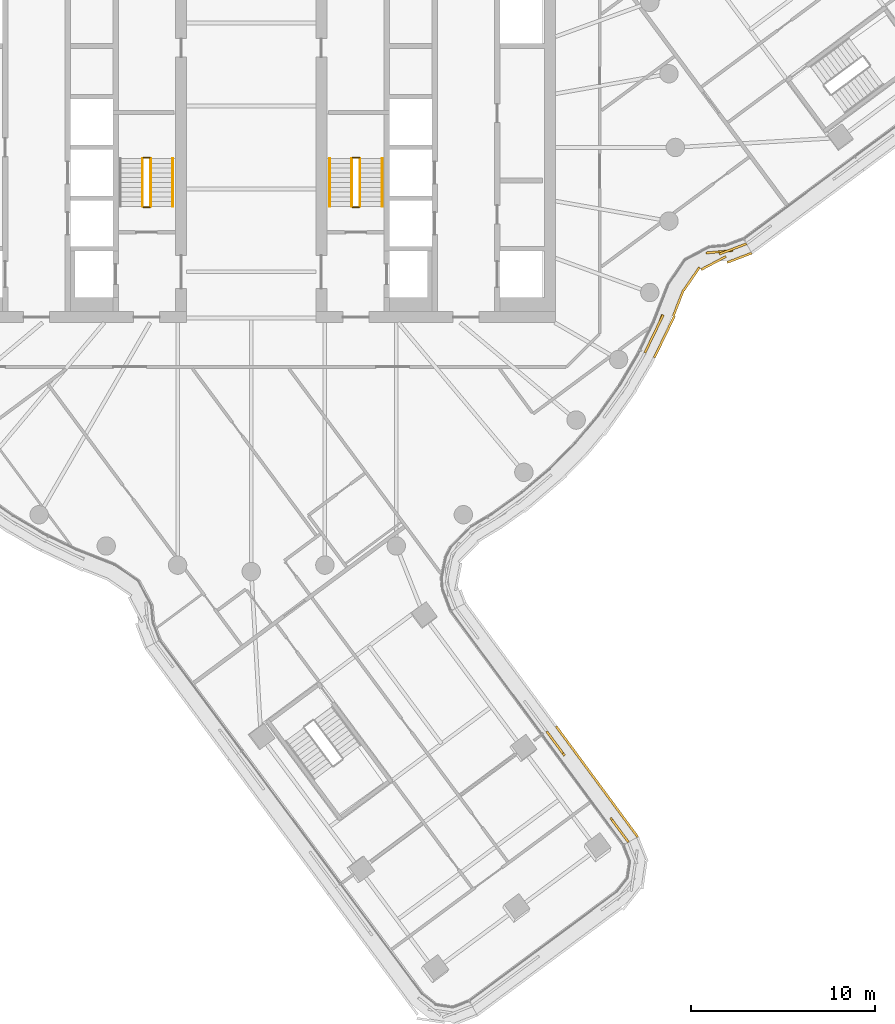
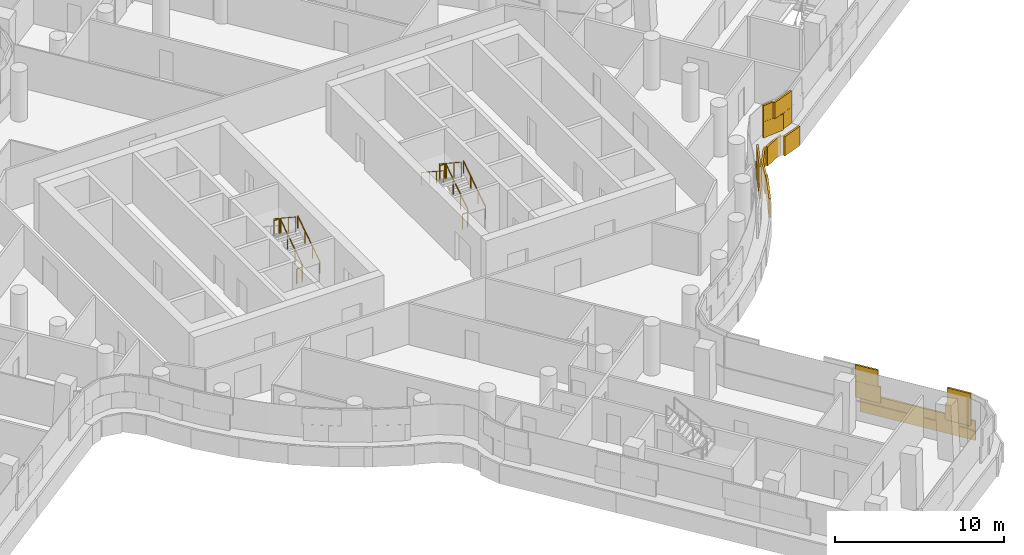
# One storey, part 29 of 32: 11 railings, 2 coverings.
"""IFC4 building model written with IfcOpenShell, lengths in metres."""

from ifc_helpers import new_model, si_unit, direction, frame, origin, origin_2d, place, context, subcontext, project, spatial, rectangle, circle, extrude, material, layer, layer_set, type_object, element, save


model = new_model("IFC4")

# Units and contexts
model_context = context("Model", 3, precision=1e-05, world=origin(), true_north=direction((0.0, 1.0)))
body_context = subcontext(model_context, "Body", "Model", "MODEL_VIEW")
ifc_project = project(units=[si_unit("LENGTHUNIT", "METRE"), si_unit("AREAUNIT", "SQUARE_METRE"), si_unit("VOLUMEUNIT", "CUBIC_METRE"), si_unit("PLANEANGLEUNIT", "RADIAN"), si_unit("MASSUNIT", "GRAM", prefix="KILO")], contexts=[model_context])

# Site, building, storey
site_placement = place(None, origin())
site = spatial("IfcSite", under=ifc_project, at=site_placement, CompositionType="ELEMENT")
building_placement = place(site_placement, origin())
building = spatial("IfcBuilding", under=site, at=building_placement, Name="Tamarind Cross Interchange Tower", CompositionType="ELEMENT")
storey_placement = place(building_placement, frame((0.0, 0.0, 166.75)))
storey = spatial("IfcBuildingStorey", under=building, at=storey_placement, Name="L41", CompositionType="ELEMENT", Elevation=166.75)

# Railings
ifc_material_1 = material(Name="Stair guard")
railing_type_1 = type_object("IfcRailingType", Name="Stair guard", PredefinedType="GUARDRAIL", material=ifc_material_1)
railing_1_placement = place(storey_placement, frame((-5.449951171875, -3.199951171875, 0.17041015625)))
element("IfcRailing", 1, at=railing_1_placement, inside=storey, type_object=railing_type_1, Name="L41 ST1 stair guard 1", PredefinedType="GUARDRAIL", context=body_context, shape_type="SweptSolid", body=[
    extrude(circle(Radius=0.02392578125, at=origin_2d()), frame((0.0, 0.0, 1.076171875), z_axis=(0.0, 0.836278606002, 0.548304744775), x_axis=(-1.0, 0.0, 0.0)), (0.0, 0.0, 1.0), 3.10888671875),
    extrude(circle(Radius=0.02099609375, at=origin_2d()), origin(), (0.0, 0.0, 1.0), 1.052001953125),
    extrude(circle(Radius=0.02099609375, at=origin_2d()), frame((0.0, 0.86669921875, 0.568115234375)), (0.0, 0.0, 1.0), 1.052001953125),
    extrude(circle(Radius=0.02099609375, at=origin_2d()), frame((0.0, 1.733154296875, 1.136474609375)), (0.0, 0.0, 1.0), 1.052001953125),
    extrude(circle(Radius=0.02099609375, at=origin_2d()), frame((0.0, 2.599853515625, 1.70458984375)), (0.0, 0.0, 1.0), 1.052001953125),
])
railing_2_placement = place(storey_placement, frame((-5.5, -0.550048828125, 1.875)))
element("IfcRailing", 2, at=railing_2_placement, inside=storey, type_object=railing_type_1, Name="L41 ST1 stair guard 2", PredefinedType="GUARDRAIL", context=body_context, shape_type="SweptSolid", body=[
    extrude(circle(Radius=0.02392578125, at=origin_2d()), frame((0.0, 0.0, 1.076171875), z_axis=(-1.0, 0.0, 0.0), x_axis=(0.0, -1.0, 0.0)), (0.0, 0.0, 1.0), 0.35009765625),
    extrude(circle(Radius=0.02099609375, at=origin_2d()), origin(), (0.0, 0.0, 1.0), 1.052001953125),
    extrude(circle(Radius=0.02099609375, at=origin_2d()), frame((-0.35009765625, 0.0, 0.0)), (0.0, 0.0, 1.0), 1.052001953125),
])
railing_3_placement = place(storey_placement, frame((-5.89990234375, -0.60009765625, 2.04541015625)))
element("IfcRailing", 3, at=railing_3_placement, inside=storey, type_object=railing_type_1, Name="L41 ST1 stair guard 3", PredefinedType="GUARDRAIL", context=body_context, shape_type="SweptSolid", body=[
    extrude(circle(Radius=0.02392578125, at=origin_2d()), frame((0.0, 0.0, 1.076171875), z_axis=(0.0, -0.836278606002, 0.548304744775), x_axis=(1.0, 0.0, 0.0)), (0.0, 0.0, 1.0), 3.10888671875),
    extrude(circle(Radius=0.02099609375, at=origin_2d()), origin(), (0.0, 0.0, 1.0), 1.052001953125),
    extrude(circle(Radius=0.02099609375, at=origin_2d()), frame((0.0, -0.86669921875, 0.568115234375)), (0.0, 0.0, 1.0), 1.052001953125),
    extrude(circle(Radius=0.02099609375, at=origin_2d()), frame((0.0, -1.733154296875, 1.136474609375)), (0.0, 0.0, 1.0), 1.052001953125),
    extrude(circle(Radius=0.02099609375, at=origin_2d()), frame((0.0, -2.599853515625, 1.70458984375)), (0.0, 0.0, 1.0), 1.052001953125),
])
railing_4_placement = place(storey_placement, frame((-5.5, -3.25, 0.0)))
element("IfcRailing", 4, at=railing_4_placement, inside=storey, type_object=railing_type_1, Name="L41 ST1 stair guard 4", PredefinedType="GUARDRAIL", context=body_context, shape_type="SweptSolid", body=[
    extrude(circle(Radius=0.02392578125, at=origin_2d()), frame((0.0, 0.0, 1.076171875), z_axis=(-1.0, 0.0, 0.0), x_axis=(0.0, -1.0, 0.0)), (0.0, 0.0, 1.0), 0.35009765625),
    extrude(circle(Radius=0.02099609375, at=origin_2d()), origin(), (0.0, 0.0, 1.0), 1.052001953125),
    extrude(circle(Radius=0.02099609375, at=origin_2d()), frame((-0.35009765625, 0.0, 0.0)), (0.0, 0.0, 1.0), 1.052001953125),
])
railing_5_placement = place(storey_placement, frame((5.89990234375, -3.199951171875, 0.17041015625)))
element("IfcRailing", 5, at=railing_5_placement, inside=storey, type_object=railing_type_1, Name="L41 ST2 stair guard 1", PredefinedType="GUARDRAIL", context=body_context, shape_type="SweptSolid", body=[
    extrude(circle(Radius=0.02392578125, at=origin_2d()), frame((0.0, 0.0, 1.076171875), z_axis=(0.0, 0.836278606002, 0.548304744775), x_axis=(-1.0, 0.0, 0.0)), (0.0, 0.0, 1.0), 3.10888671875),
    extrude(circle(Radius=0.02099609375, at=origin_2d()), origin(), (0.0, 0.0, 1.0), 1.052001953125),
    extrude(circle(Radius=0.02099609375, at=origin_2d()), frame((0.0, 0.86669921875, 0.568115234375)), (0.0, 0.0, 1.0), 1.052001953125),
    extrude(circle(Radius=0.02099609375, at=origin_2d()), frame((0.0, 1.733154296875, 1.136474609375)), (0.0, 0.0, 1.0), 1.052001953125),
    extrude(circle(Radius=0.02099609375, at=origin_2d()), frame((0.0, 2.599853515625, 1.70458984375)), (0.0, 0.0, 1.0), 1.052001953125),
])
railing_6_placement = place(storey_placement, frame((5.85009765625, -0.550048828125, 1.875)))
element("IfcRailing", 6, at=railing_6_placement, inside=storey, type_object=railing_type_1, Name="L41 ST2 stair guard 2", PredefinedType="GUARDRAIL", context=body_context, shape_type="SweptSolid", body=[
    extrude(circle(Radius=0.02392578125, at=origin_2d()), frame((0.0, 0.0, 1.076171875), z_axis=(-1.0, 0.0, 0.0), x_axis=(0.0, -1.0, 0.0)), (0.0, 0.0, 1.0), 0.35009765625),
    extrude(circle(Radius=0.02099609375, at=origin_2d()), origin(), (0.0, 0.0, 1.0), 1.052001953125),
    extrude(circle(Radius=0.02099609375, at=origin_2d()), frame((-0.35009765625, 0.0, 0.0)), (0.0, 0.0, 1.0), 1.052001953125),
])
railing_7_placement = place(storey_placement, frame((5.449951171875, -0.60009765625, 2.04541015625)))
element("IfcRailing", 7, at=railing_7_placement, inside=storey, type_object=railing_type_1, Name="L41 ST2 stair guard 3", PredefinedType="GUARDRAIL", context=body_context, shape_type="SweptSolid", body=[
    extrude(circle(Radius=0.02392578125, at=origin_2d()), frame((0.0, 0.0, 1.076171875), z_axis=(0.0, -0.836278606002, 0.548304744775), x_axis=(1.0, 0.0, 0.0)), (0.0, 0.0, 1.0), 3.10888671875),
    extrude(circle(Radius=0.02099609375, at=origin_2d()), origin(), (0.0, 0.0, 1.0), 1.052001953125),
    extrude(circle(Radius=0.02099609375, at=origin_2d()), frame((0.0, -0.86669921875, 0.568115234375)), (0.0, 0.0, 1.0), 1.052001953125),
    extrude(circle(Radius=0.02099609375, at=origin_2d()), frame((0.0, -1.733154296875, 1.136474609375)), (0.0, 0.0, 1.0), 1.052001953125),
    extrude(circle(Radius=0.02099609375, at=origin_2d()), frame((0.0, -2.599853515625, 1.70458984375)), (0.0, 0.0, 1.0), 1.052001953125),
])
railing_8_placement = place(storey_placement, frame((5.85009765625, -3.25, 0.0)))
element("IfcRailing", 8, at=railing_8_placement, inside=storey, type_object=railing_type_1, Name="L41 ST2 stair guard 4", PredefinedType="GUARDRAIL", context=body_context, shape_type="SweptSolid", body=[
    extrude(circle(Radius=0.02392578125, at=origin_2d()), frame((0.0, 0.0, 1.076171875), z_axis=(-1.0, 0.0, 0.0), x_axis=(0.0, -1.0, 0.0)), (0.0, 0.0, 1.0), 0.35009765625),
    extrude(circle(Radius=0.02099609375, at=origin_2d()), origin(), (0.0, 0.0, 1.0), 1.052001953125),
    extrude(circle(Radius=0.02099609375, at=origin_2d()), frame((-0.35009765625, 0.0, 0.0)), (0.0, 0.0, 1.0), 1.052001953125),
])
ifc_material_2 = material(Name="Stair handrail")
railing_type_2 = type_object("IfcRailingType", Name="Stair handrail", PredefinedType="HANDRAIL", material=ifc_material_2)
for number, where, name in (
    (9, (-4.25, -3.199951171875, 0.17041015625), "L41 ST1 stair handrail 1"),
    (10, (7.10009765625, -3.199951171875, 0.17041015625), "L41 ST2 stair handrail 1"),
):
    element("IfcRailing", number, at=place(storey_placement, frame(where)), inside=storey, type_object=railing_type_2, Name=name, PredefinedType="HANDRAIL", context=body_context, shape_type="SweptSolid", body=[
        extrude(circle(Radius=0.02392578125, at=origin_2d()), frame((0.0, 0.0, 0.8759765625), z_axis=(0.0, 0.836278606002, 0.548304744775), x_axis=(-1.0, 0.0, 0.0)), (0.0, 0.0, 1.0), 3.10888671875),
        extrude(circle(Radius=0.02099609375, at=origin_2d()), origin(), (0.0, 0.0, 1.0), 0.851806640625),
        extrude(circle(Radius=0.02099609375, at=origin_2d()), frame((0.0, 0.86669921875, 0.568115234375)), (0.0, 0.0, 1.0), 0.851806640625),
        extrude(circle(Radius=0.02099609375, at=origin_2d()), frame((0.0, 1.733154296875, 1.136474609375)), (0.0, 0.0, 1.0), 0.851806640625),
        extrude(circle(Radius=0.02099609375, at=origin_2d()), frame((0.0, 2.599853515625, 1.70458984375)), (0.0, 0.0, 1.0), 0.851806640625),
    ])
railing_9_placement = place(storey_placement, frame((4.25, -0.60009765625, 2.04541015625)))
element("IfcRailing", 11, at=railing_9_placement, inside=storey, type_object=railing_type_2, Name="L41 ST2 stair handrail 2", PredefinedType="HANDRAIL", context=body_context, shape_type="SweptSolid", body=[
    extrude(circle(Radius=0.02392578125, at=origin_2d()), frame((0.0, 0.0, 0.8759765625), z_axis=(0.0, -0.836278606002, 0.548304744775), x_axis=(1.0, 0.0, 0.0)), (0.0, 0.0, 1.0), 3.10888671875),
    extrude(circle(Radius=0.02099609375, at=origin_2d()), origin(), (0.0, 0.0, 1.0), 0.851806640625),
    extrude(circle(Radius=0.02099609375, at=origin_2d()), frame((0.0, -0.86669921875, 0.568115234375)), (0.0, 0.0, 1.0), 0.851806640625),
    extrude(circle(Radius=0.02099609375, at=origin_2d()), frame((0.0, -1.733154296875, 1.136474609375)), (0.0, 0.0, 1.0), 0.851806640625),
    extrude(circle(Radius=0.02099609375, at=origin_2d()), frame((0.0, -2.599853515625, 1.70458984375)), (0.0, 0.0, 1.0), 0.851806640625),
])

# Coverings
ifc_material_3 = material(Name="Terracotta", Category="masonry")
ifc_layer = layer(ifc_material_3, 0.1201171875)
ifc_layer_set = layer_set([ifc_layer], Name="Terracotta")
covering_type = type_object("IfcCoveringType", Name="Terracotta baguette screen unit", PredefinedType="MOLDING", material=ifc_layer_set)
covering_1_placement = place(storey_placement, origin())
element("IfcCovering", 12, at=covering_1_placement, inside=storey, type_object=covering_type, Name="SCR-L41-13-00", PredefinedType="MOLDING", context=body_context, shape_type="SweptSolid", body=[
    extrude(rectangle(XDim=0.760009765625, YDim=0.1201171875, at=origin_2d()), frame((20.23095703125, -37.370849609375, 1.404052734375), z_axis=(0.0, 0.0, 1.0), x_axis=(-0.593819308082, 0.804598427384, 0.0)), (0.0, 0.0, 1.0), 1.1669921875),
    extrude(rectangle(XDim=0.890380859375, YDim=0.1201171875, at=origin_2d()), frame((19.746826171875, -36.71484375, 1.404052734375), z_axis=(0.0, 0.0, 1.0), x_axis=(-0.593819308082, 0.804598427384, 0.0)), (0.0, 0.0, 1.0), 1.1669921875),
    extrude(rectangle(XDim=0.9296875, YDim=0.1201171875, at=origin_2d()), frame((16.71826171875, -32.611328125, 1.404052734375), z_axis=(0.0, 0.0, 1.0), x_axis=(-0.593819308082, 0.804598427384, 0.0)), (0.0, 0.0, 1.0), 1.1669921875),
    extrude(rectangle(XDim=0.720703125, YDim=0.1201171875, at=origin_2d()), frame((16.234130859375, -31.95556640625, 1.404052734375), z_axis=(0.0, 0.0, 1.0), x_axis=(-0.593819308082, 0.804598427384, 0.0)), (0.0, 0.0, 1.0), 1.1669921875),
    extrude(rectangle(XDim=1.510009765625, YDim=0.1201171875, at=origin_2d()), frame((20.008056640625, -37.069091796875, 2.5791015625), z_axis=(0.0, 0.0, 1.0), x_axis=(-0.593819308082, 0.804598427384, 0.0)), (0.0, 0.0, 1.0), 1.1669921875),
    extrude(rectangle(XDim=1.470703125, YDim=0.1201171875, at=origin_2d()), frame((16.45703125, -32.25732421875, 2.5791015625), z_axis=(0.0, 0.0, 1.0), x_axis=(-0.593819308082, 0.804598427384, 0.0)), (0.0, 0.0, 1.0), 1.1669921875),
    extrude(rectangle(XDim=0.760009765625, YDim=0.1201171875, at=origin_2d()), frame((20.734130859375, -37.086181640625, 0.00390625), z_axis=(0.0, 0.0, 1.0), x_axis=(-0.593819308082, 0.804598427384, 0.0)), (0.0, 0.0, 1.0), 1.39208984375),
    extrude(rectangle(XDim=1.52001953125, YDim=0.1201171875, at=origin_2d()), frame((20.069091796875, -36.18505859375, 0.00390625), z_axis=(0.0, 0.0, 1.0), x_axis=(-0.593819308082, 0.804598427384, 0.0)), (0.0, 0.0, 1.0), 1.39208984375),
    extrude(rectangle(XDim=1.52001953125, YDim=0.1201171875, at=origin_2d()), frame((19.178466796875, -34.97802734375, 0.00390625), z_axis=(0.0, 0.0, 1.0), x_axis=(-0.593819308082, 0.804598427384, 0.0)), (0.0, 0.0, 1.0), 1.39208984375),
    extrude(rectangle(XDim=1.52001953125, YDim=0.1201171875, at=origin_2d()), frame((18.28759765625, -33.771240234375, 0.00390625), z_axis=(0.0, 0.0, 1.0), x_axis=(-0.593819308082, 0.804598427384, 0.0)), (0.0, 0.0, 1.0), 1.39208984375),
    extrude(rectangle(XDim=1.52001953125, YDim=0.1201171875, at=origin_2d()), frame((17.39697265625, -32.564208984375, 0.00390625), z_axis=(0.0, 0.0, 1.0), x_axis=(-0.593819308082, 0.804598427384, 0.0)), (0.0, 0.0, 1.0), 1.39208984375),
    extrude(rectangle(XDim=0.718505859375, YDim=0.1201171875, at=origin_2d()), frame((16.744140625, -31.679931640625, 0.00390625), z_axis=(0.0, 0.0, 1.0), x_axis=(-0.593819308082, 0.804598427384, 0.0)), (0.0, 0.0, 1.0), 1.39208984375),
])
covering_2_placement = place(storey_placement, origin())
element("IfcCovering", 13, at=covering_2_placement, inside=storey, type_object=covering_type, Name="SCR-L41-14-01", PredefinedType="MOLDING", context=body_context, shape_type="SweptSolid", body=[
    extrude(rectangle(XDim=0.433349609375, YDim=0.1201171875, at=origin_2d()), frame((21.4404296875, -10.941650390625, 1.404052734375), z_axis=(0.0, 0.0, 1.0), x_axis=(0.435326231914, 0.900272776334, 0.0)), (0.0, 0.0, 1.0), 1.1669921875),
    extrude(rectangle(XDim=1.52001953125, YDim=0.1201171875, at=origin_2d()), frame((21.859130859375, -10.075927734375, 1.404052734375), z_axis=(0.0, 0.0, 1.0), x_axis=(0.435326231914, 0.900272776334, 0.0)), (0.0, 0.0, 1.0), 1.1669921875),
    extrude(rectangle(XDim=0.3603515625, YDim=0.1201171875, at=origin_2d()), frame((22.2353515625, -9.2314453125, 1.404052734375), z_axis=(0.0, 0.0, 1.0), x_axis=(0.364846401733, 0.931067722103, 0.0)), (0.0, 0.0, 1.0), 1.1669921875),
    extrude(rectangle(XDim=1.45947265625, YDim=0.1201171875, at=origin_2d()), frame((25.38720703125, -5.656005859375, 1.404052734375), z_axis=(0.0, 0.0, 1.0), x_axis=(0.995868287026, 0.090809442771, 0.0)), (0.0, 0.0, 1.0), 1.1669921875),
    extrude(rectangle(XDim=0.834228515625, YDim=0.1201171875, at=origin_2d()), frame((26.4765625, -5.368408203125, 1.404052734375), z_axis=(0.0, 0.0, 1.0), x_axis=(0.934272399996, 0.35656006872, 0.0)), (0.0, 0.0, 1.0), 1.1669921875),
    extrude(rectangle(XDim=1.183349609375, YDim=0.1201171875, at=origin_2d()), frame((21.603759765625, -10.60400390625, 2.5791015625), z_axis=(0.0, 0.0, 1.0), x_axis=(0.435326231914, 0.900272776334, 0.0)), (0.0, 0.0, 1.0), 1.1669921875),
    extrude(rectangle(XDim=1.1103515625, YDim=0.1201171875, at=origin_2d()), frame((22.0986328125, -9.58056640625, 2.5791015625), z_axis=(0.0, 0.0, 1.0), x_axis=(0.435326231914, 0.900272776334, 0.0)), (0.0, 0.0, 1.0), 1.1669921875),
    extrude(rectangle(XDim=0.70947265625, YDim=0.1201171875, at=origin_2d()), frame((25.013671875, -5.68994140625, 2.5791015625), z_axis=(0.0, 0.0, 1.0), x_axis=(0.995868287026, 0.090809442771, 0.0)), (0.0, 0.0, 1.0), 1.1669921875),
    extrude(rectangle(XDim=1.52001953125, YDim=0.1201171875, at=origin_2d()), frame((26.091552734375, -5.515380859375, 2.5791015625), z_axis=(0.0, 0.0, 1.0), x_axis=(0.934272399996, 0.35656006872, 0.0)), (0.0, 0.0, 1.0), 1.1669921875),
    extrude(rectangle(XDim=0.084228515625, YDim=0.1201171875, at=origin_2d()), frame((26.826904296875, -5.234619140625, 2.5791015625), z_axis=(0.0, 0.0, 1.0), x_axis=(0.934272399996, 0.35656006872, 0.0)), (0.0, 0.0, 1.0), 1.1669921875),
    extrude(rectangle(XDim=1.000732421875, YDim=0.1201171875, at=origin_2d()), frame((22.0751953125, -10.947509765625, 0.00390625), z_axis=(0.0, 0.0, 1.0), x_axis=(0.435326231914, 0.900272776334, 0.0)), (0.0, 0.0, 1.0), 1.39208984375),
    extrude(rectangle(XDim=1.52001953125, YDim=0.1201171875, at=origin_2d()), frame((22.615234375, -9.830810546875, 0.00390625), z_axis=(0.0, 0.0, 1.0), x_axis=(0.435326231914, 0.900272776334, 0.0)), (0.0, 0.0, 1.0), 1.39208984375),
    extrude(rectangle(XDim=1.52001953125, YDim=0.1201171875, at=origin_2d()), frame((23.1640625, -8.434814453125, 0.00390625), z_axis=(0.0, 0.0, 1.0), x_axis=(0.364846401733, 0.931067722103, 0.0)), (0.0, 0.0, 1.0), 1.39208984375),
    extrude(rectangle(XDim=1.52001953125, YDim=0.1201171875, at=origin_2d()), frame((23.880126953125, -7.127685546875, 0.00390625), z_axis=(0.0, 0.0, 1.0), x_axis=(0.564663579204, 0.825321175253, 0.0)), (0.0, 0.0, 1.0), 1.39208984375),
    extrude(rectangle(XDim=1.52001953125, YDim=0.1201171875, at=origin_2d()), frame((25.068115234375, -6.27099609375, 0.00390625), z_axis=(0.0, 0.0, 1.0), x_axis=(0.883122112078, 0.469143192596, 0.0)), (0.0, 0.0, 1.0), 1.39208984375),
    extrude(rectangle(XDim=1.421630859375, YDim=0.1201171875, at=origin_2d()), frame((26.47607421875, -5.98291015625, 0.00390625), z_axis=(0.0, 0.0, 1.0), x_axis=(0.934272399996, 0.35656006872, 0.0)), (0.0, 0.0, 1.0), 1.39208984375),
])

save(model, "model.ifc")
